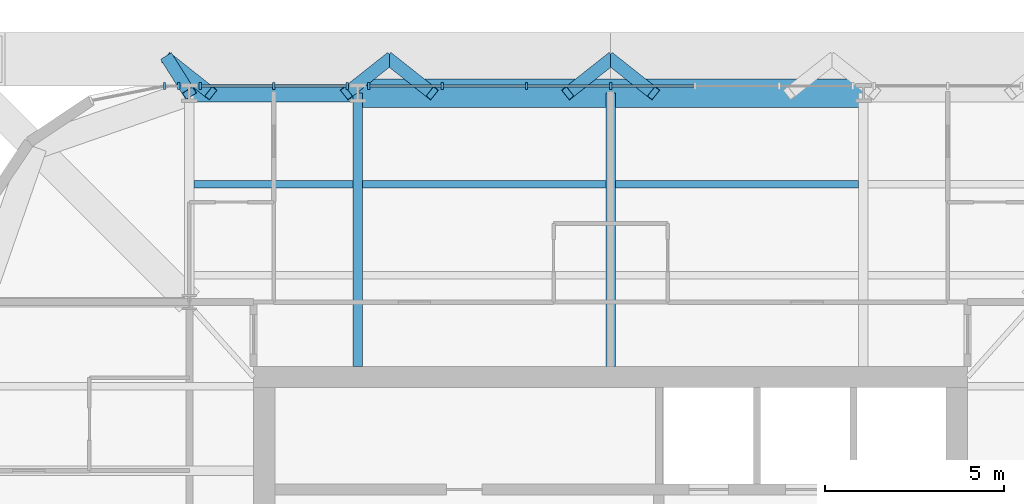
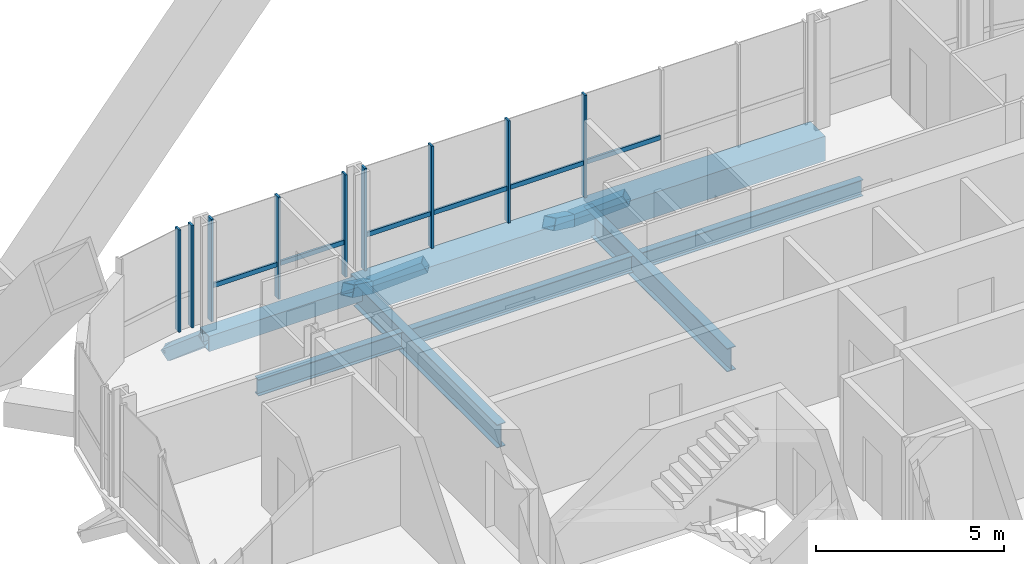
# One storey, part 10 of 23: 15 members, 13 beams, 3 elements without a shape of their own.
"""IFC4 building model written with IfcOpenShell, lengths in metres."""

from ifc_helpers import new_model, si_unit, direction, frame, origin, origin_2d, place, context, subcontext, project, spatial, rectangle, hollow_rectangle, i_section, extrude, material, material_profile, profile_set, type_object, element, aggregate, save


model = new_model("IFC4")

# Units and contexts
model_context = context("Model", 3, precision=1e-05, world=origin(), true_north=direction((0.0, 1.0)))
body_context = subcontext(model_context, "Body", "Model", "MODEL_VIEW")
ifc_project = project(units=[si_unit("LENGTHUNIT", "METRE"), si_unit("AREAUNIT", "SQUARE_METRE"), si_unit("VOLUMEUNIT", "CUBIC_METRE"), si_unit("PLANEANGLEUNIT", "RADIAN"), si_unit("MASSUNIT", "GRAM", prefix="KILO")], contexts=[model_context])

# Site, building, storey
site_placement = place(None, origin())
site = spatial("IfcSite", under=ifc_project, at=site_placement, CompositionType="ELEMENT")
building_placement = place(site_placement, origin())
building = spatial("IfcBuilding", under=site, at=building_placement, Name="Turquesa Mirador Hotel Tower", CompositionType="ELEMENT")
storey_placement = place(building_placement, frame((0.0, 0.0, 226.699951171875)))
storey = spatial("IfcBuildingStorey", under=building, at=storey_placement, Name="L61", CompositionType="ELEMENT", Elevation=226.699951171875)

# Beams
ifc_material_1 = material(Name="Steel ASTM A572 Grade 50", Category="steel")
ifc_material_profile_1 = material_profile(ifc_material_1, hollow_rectangle(XDim=0.5, YDim=0.5, WallThickness=0.031982421875, at=origin_2d()), Name="BOX500X500X32")
ifc_profile_set_1 = profile_set([ifc_material_profile_1], Name="Steel ASTM A572 Grade 50")
beam_type_1 = type_object("IfcBeamType", Name="BEAM BOX500X500X32", PredefinedType="BEAM", material=ifc_profile_set_1)
beam_1_placement = place(storey_placement, frame((43.199951171875, 62.64990234375, -0.419921875), z_axis=(1.0, 0.0, 0.0), x_axis=(0.0, 1.0, 0.0)))
element("IfcBeam", 1, at=beam_1_placement, inside=storey, type_object=beam_type_1, Name="EB-L61-N-L", PredefinedType="BEAM", context=body_context, shape_type="SweptSolid", body=[
    extrude(hollow_rectangle(XDim=0.5, YDim=0.5, WallThickness=0.031982421875, at=origin_2d()), origin(), (0.0, 0.0, 1.0), 4.719970703125),
])
ifc_material_2 = material(Name="Steel ASTM A572 Grade 50", Category="steel")
ifc_material_profile_2 = material_profile(ifc_material_2, hollow_rectangle(XDim=0.800048828125, YDim=0.800048828125, WallThickness=0.030029296875, at=origin_2d()), Name="BOX800X800X30")
ifc_profile_set_2 = profile_set([ifc_material_profile_2], Name="Steel ASTM A572 Grade 50")
beam_type_2 = type_object("IfcBeamType", Name="BEAM BOX800X800X30", PredefinedType="BEAM", material=ifc_profile_set_2)
beam_2_placement = place(storey_placement, frame((47.919921875, 62.64990234375, -0.570068359375), z_axis=(1.0, 0.0, 0.0), x_axis=(0.0, 1.0, 0.0)))
element("IfcBeam", 2, at=beam_2_placement, inside=storey, type_object=beam_type_2, Name="EB-L61-N-C", PredefinedType="BEAM", context=body_context, shape_type="SweptSolid", body=[
    extrude(hollow_rectangle(XDim=0.800048828125, YDim=0.800048828125, WallThickness=0.030029296875, at=origin_2d()), origin(), (0.0, 0.0, 1.0), 14.16015625),
])
ifc_material_3 = material(Name="Steel ASTM A992 Grade 50", Category="steel")
ifc_material_profile_3 = material_profile(ifc_material_3, i_section(OverallWidth=0.209228515625, OverallDepth=0.533447265625, WebThickness=0.01025390625, FlangeThickness=0.015625, at=origin_2d()), Name="W21X62")
ifc_profile_set_3 = profile_set([ifc_material_profile_3], Name="Steel ASTM A992 Grade 50")
beam_type_3 = type_object("IfcBeamType", Name="BEAM W21X62", PredefinedType="BEAM", material=ifc_profile_set_3)
beam_3_placement = place(storey_placement, frame((43.333251953125, 60.10009765625, -0.436767578125), z_axis=(1.0, 0.0, 0.0), x_axis=(0.0, 1.0, 0.0)))
element("IfcBeam", 3, at=beam_3_placement, inside=storey, type_object=beam_type_3, Name="IB-L61-N-2-0", PredefinedType="BEAM", context=body_context, shape_type="SweptSolid", body=[
    extrude(i_section(OverallWidth=0.209228515625, OverallDepth=0.533447265625, WebThickness=0.01025390625, FlangeThickness=0.015625, at=origin_2d()), origin(), (0.0, 0.0, 1.0), 4.453369140625),
])
for number, where, z_axis, x_axis, name in (
    (4, (48.053466796875, 60.10009765625, -0.436767578125), (1.0, 0.0, 0.0), (0.0, 1.0, 0.0), "IB-L61-N-2-1"),
    (5, (55.13330078125, 60.10009765625, -0.436767578125), (1.0, 0.0, 0.0), (0.0, 1.0, 0.0), "IB-L61-N-2-2"),
):
    element("IfcBeam", number, at=place(storey_placement, frame(where, z_axis=z_axis, x_axis=x_axis)), inside=storey, type_object=beam_type_3, Name=name, PredefinedType="BEAM", context=body_context, shape_type="SweptSolid", body=[
        extrude(i_section(OverallWidth=0.209228515625, OverallDepth=0.533447265625, WebThickness=0.01025390625, FlangeThickness=0.015625, at=origin_2d()), origin(), (0.0, 0.0, 1.0), 6.813232421875),
    ])
ifc_material_4 = material(Name="Steel ASTM A992 Grade 50", Category="steel")
ifc_material_profile_4 = material_profile(ifc_material_4, i_section(OverallWidth=0.2666015625, OverallDepth=0.7568359375, WebThickness=0.013916015625, FlangeThickness=0.019287109375, at=origin_2d()), Name="W30X108")
ifc_profile_set_4 = profile_set([ifc_material_profile_4], Name="Steel ASTM A992 Grade 50")
beam_type_4 = type_object("IfcBeamType", Name="BEAM W30X108", PredefinedType="BEAM", material=ifc_profile_set_4)
for number, where, z_axis, x_axis, name in (
    (6, (47.919921875, 62.64990234375, -0.54833984375), (0.0, -1.0, 0.0), (1.0, 0.0, 0.0), "GD-L61-N--7.08"),
    (7, (55.0, 62.64990234375, -0.54833984375), (0.0, -1.0, 0.0), (1.0, 0.0, 0.0), "GD-L61-N-+0.00"),
):
    element("IfcBeam", number, at=place(storey_placement, frame(where, z_axis=z_axis, x_axis=x_axis)), inside=storey, type_object=beam_type_4, Name=name, PredefinedType="BEAM", context=body_context, shape_type="SweptSolid", body=[
        extrude(i_section(OverallWidth=0.2666015625, OverallDepth=0.7568359375, WebThickness=0.013916015625, FlangeThickness=0.019287109375, at=origin_2d()), origin(), (0.0, 0.0, 1.0), 7.64990234375),
    ])
ifc_material_5 = material(Name="Steel ASTM A500 Grade C", Category="steel")
ifc_material_profile_5 = material_profile(ifc_material_5, hollow_rectangle(XDim=0.355712890625, YDim=0.355712890625, WallThickness=0.0146484375, at=origin_2d()), Name="HSS14X14X5/8")
ifc_profile_set_5 = profile_set([ifc_material_profile_5], Name="Steel ASTM A500 Grade C")
beam_type_5 = type_object("IfcBeamType", Name="BRACE STRUT HSS14X14X5/8", PredefinedType="BEAM", material=ifc_profile_set_5)
beam_4_placement = place(storey_placement, frame((42.60009765625, 63.60009765625, -1.199951171875), z_axis=(0.425320857531, -0.673727626174, 0.604312215564), x_axis=(0.845597303237, 0.53382131913, 0.0)))
element("IfcBeam", 8, at=beam_4_placement, inside=storey, type_object=beam_type_5, Name="Brace strut", PredefinedType="BEAM", context=body_context, shape_type="SweptSolid", body=[
    extrude(hollow_rectangle(XDim=0.355712890625, YDim=0.355712890625, WallThickness=0.0146484375, at=origin_2d()), origin(), (0.0, 0.0, 1.0), 1.410400390625),
])
for number, where, z_axis, x_axis, name in (
    (9, (42.60009765625, 63.60009765625, -1.199951171875), (0.684941954003, -0.542379264492, 0.486496919924), (0.620796907089, 0.783971428146, 0.0), "Brace strut"),
    (10, (48.800048828125, 63.60009765625, -1.199951171875), (-0.684941954003, -0.542379264492, 0.486496919924), (0.620796907089, -0.783971428146, 0.0), "Brace strut"),
    (11, (48.800048828125, 63.60009765625, -1.199951171875), (0.684941954003, -0.542379264492, 0.486496919924), (0.620796907089, 0.783971428146, 0.0), "Brace strut"),
    (12, (55.0, 63.60009765625, -1.199951171875), (-0.684941954003, -0.542379264492, 0.486496919924), (0.620796907089, -0.783971428146, 0.0), "Brace strut"),
    (13, (55.0, 63.60009765625, -1.199951171875), (0.684941954003, -0.542379264492, 0.486496919924), (0.620796907089, 0.783971428146, 0.0), "Brace strut"),
):
    element("IfcBeam", number, at=place(storey_placement, frame(where, z_axis=z_axis, x_axis=x_axis)), inside=storey, type_object=beam_type_5, Name=name, PredefinedType="BEAM", context=body_context, shape_type="SweptSolid", body=[
        extrude(hollow_rectangle(XDim=0.355712890625, YDim=0.355712890625, WallThickness=0.0146484375, at=origin_2d()), origin(), (0.0, 0.0, 1.0), 1.751953125),
    ])

# Curtain wall, members
ifc_material_6 = material(Name="Aluminium extrusion", Category="aluminium")
curtain_wall_type = type_object("IfcCurtainWallType", Name="CW-4 SUITE FRITTED CURTAIN WALL", PredefinedType="USERDEFINED", material=ifc_material_6)
curtain_wall_1_placement = place(storey_placement, origin())
curtain_wall_1 = element("IfcCurtainWall", 14, at=curtain_wall_1_placement, inside=storey, type_object=curtain_wall_type, Name="CW-4 SUITE FRITTED CURTAIN WALL L61", ObjectType="CURTAIN WALL", PredefinedType="USERDEFINED")
ifc_material_7 = material(Name="Aluminium extrusion", Category="aluminium")
ifc_material_profile_6 = material_profile(ifc_material_7, rectangle(XDim=0.06494140625, YDim=0.199951171875, at=origin_2d()), Name="MULLION 65X200")
ifc_profile_set_6 = profile_set([ifc_material_profile_6], Name="Aluminium extrusion")
member_type_1 = type_object("IfcMemberType", Name="CW MULLION 65X200", PredefinedType="MULLION", material=ifc_profile_set_6)
member_1_placement = place(storey_placement, frame((55.0, 62.85009765625, 0.0), z_axis=(0.0, 0.0, 1.0), x_axis=(-1.0, 0.0, 0.0)))
member_1 = element("IfcMember", 15, at=member_1_placement, type_object=member_type_1, Name="Mullion", PredefinedType="MULLION", context=body_context, shape_type="SweptSolid", body=[
    extrude(rectangle(XDim=0.06494140625, YDim=0.199951171875, at=origin_2d()), origin(), (0.0, 0.0, 1.0), 3.330078125),
])
member_2_placement = place(storey_placement, frame((52.639892578125, 62.85009765625, 0.0), z_axis=(0.0, 0.0, 1.0), x_axis=(-1.0, 0.0, 0.0)))
member_2 = element("IfcMember", 16, at=member_2_placement, type_object=member_type_1, Name="Mullion", PredefinedType="MULLION", context=body_context, shape_type="SweptSolid", body=[
    extrude(rectangle(XDim=0.06494140625, YDim=0.199951171875, at=origin_2d()), origin(), (0.0, 0.0, 1.0), 3.330078125),
])
member_3_placement = place(storey_placement, frame((50.280029296875, 62.85009765625, 0.0), z_axis=(0.0, 0.0, 1.0), x_axis=(-1.0, 0.0, 0.0)))
member_3 = element("IfcMember", 17, at=member_3_placement, type_object=member_type_1, Name="Mullion", PredefinedType="MULLION", context=body_context, shape_type="SweptSolid", body=[
    extrude(rectangle(XDim=0.06494140625, YDim=0.199951171875, at=origin_2d()), origin(), (0.0, 0.0, 1.0), 3.330078125),
])
member_4_placement = place(storey_placement, frame((48.219970703125, 62.85009765625, 0.0), z_axis=(0.0, 0.0, 1.0), x_axis=(-1.0, 0.0, 0.0)))
member_4 = element("IfcMember", 18, at=member_4_placement, type_object=member_type_1, Name="Mullion", PredefinedType="MULLION", context=body_context, shape_type="SweptSolid", body=[
    extrude(rectangle(XDim=0.06494140625, YDim=0.199951171875, at=origin_2d()), origin(), (0.0, 0.0, 1.0), 3.330078125),
])

curtain_wall_2_placement = place(storey_placement, origin())
curtain_wall_2 = element("IfcCurtainWall", 19, at=curtain_wall_2_placement, inside=storey, type_object=curtain_wall_type, Name="CW-4 SUITE FRITTED CURTAIN WALL L61", ObjectType="CURTAIN WALL", PredefinedType="USERDEFINED")
member_5_placement = place(storey_placement, frame((47.6201171875, 62.85009765625, 0.0), z_axis=(0.0, 0.0, 1.0), x_axis=(-1.0, 0.0, 0.0)))
member_5 = element("IfcMember", 20, at=member_5_placement, type_object=member_type_1, Name="Mullion", PredefinedType="MULLION", context=body_context, shape_type="SweptSolid", body=[
    extrude(rectangle(XDim=0.06494140625, YDim=0.199951171875, at=origin_2d()), origin(), (0.0, 0.0, 1.0), 3.330078125),
])
member_6_placement = place(storey_placement, frame((45.56005859375, 62.85009765625, 0.0), z_axis=(0.0, 0.0, 1.0), x_axis=(-1.0, 0.0, 0.0)))
member_6 = element("IfcMember", 21, at=member_6_placement, type_object=member_type_1, Name="Mullion", PredefinedType="MULLION", context=body_context, shape_type="SweptSolid", body=[
    extrude(rectangle(XDim=0.06494140625, YDim=0.199951171875, at=origin_2d()), origin(), (0.0, 0.0, 1.0), 3.330078125),
])
member_7_placement = place(storey_placement, frame((43.5, 62.85009765625, 0.0), z_axis=(0.0, 0.0, 1.0), x_axis=(-1.0, 0.0, 0.0)))
member_7 = element("IfcMember", 22, at=member_7_placement, type_object=member_type_1, Name="Mullion", PredefinedType="MULLION", context=body_context, shape_type="SweptSolid", body=[
    extrude(rectangle(XDim=0.06494140625, YDim=0.199951171875, at=origin_2d()), origin(), (0.0, 0.0, 1.0), 3.330078125),
])

curtain_wall_3_placement = place(storey_placement, origin())
curtain_wall_3 = element("IfcCurtainWall", 23, at=curtain_wall_3_placement, inside=storey, type_object=curtain_wall_type, Name="CW-4 SUITE FRITTED CURTAIN WALL L61", ObjectType="CURTAIN WALL", PredefinedType="USERDEFINED")
member_8_placement = place(storey_placement, frame((42.900146484375, 62.85009765625, 0.0), z_axis=(0.0, 0.0, 1.0), x_axis=(-1.0, 0.0, 0.0)))
member_8 = element("IfcMember", 24, at=member_8_placement, type_object=member_type_1, Name="Mullion", PredefinedType="MULLION", context=body_context, shape_type="SweptSolid", body=[
    extrude(rectangle(XDim=0.06494140625, YDim=0.199951171875, at=origin_2d()), origin(), (0.0, 0.0, 1.0), 3.330078125),
])
member_9_placement = place(storey_placement, frame((42.5, 62.85009765625, 0.0), z_axis=(0.0, 0.0, 1.0), x_axis=(-1.0, 0.0, 0.0)))
member_9 = element("IfcMember", 25, at=member_9_placement, type_object=member_type_1, Name="Mullion", PredefinedType="MULLION", context=body_context, shape_type="SweptSolid", body=[
    extrude(rectangle(XDim=0.06494140625, YDim=0.199951171875, at=origin_2d()), origin(), (0.0, 0.0, 1.0), 3.330078125),
])
aggregate(curtain_wall_3, [member_8, member_9])

# Member
ifc_material_8 = material(Name="Aluminium extrusion", Category="aluminium")
ifc_material_profile_7 = material_profile(ifc_material_8, rectangle(XDim=0.06494140625, YDim=0.14990234375, at=origin_2d()), Name="TRANSOM 65X150")
ifc_profile_set_7 = profile_set([ifc_material_profile_7], Name="Aluminium extrusion")
member_type_2 = type_object("IfcMemberType", Name="CW TRANSOM 65X150", PredefinedType="USERDEFINED", material=ifc_profile_set_7)
member_10_placement = place(storey_placement, frame((57.327392578125, 62.85009765625, 1.10009765625), z_axis=(-1.0, 0.0, 0.0), x_axis=(0.0, -1.0, 0.0)))
member_10 = element("IfcMember", 26, at=member_10_placement, type_object=member_type_2, Name="Transom", ObjectType="TRANSOM", PredefinedType="USERDEFINED", context=body_context, shape_type="SweptSolid", body=[
    extrude(rectangle(XDim=0.06494140625, YDim=0.14990234375, at=origin_2d()), origin(), (0.0, 0.0, 1.0), 2.294921875),
])

member_11_placement = place(storey_placement, frame((54.967529296875, 62.85009765625, 1.10009765625), z_axis=(-1.0, 0.0, 0.0), x_axis=(0.0, -1.0, 0.0)))
member_11 = element("IfcMember", 27, at=member_11_placement, type_object=member_type_2, Name="Transom", ObjectType="TRANSOM", PredefinedType="USERDEFINED", context=body_context, shape_type="SweptSolid", body=[
    extrude(rectangle(XDim=0.06494140625, YDim=0.14990234375, at=origin_2d()), origin(), (0.0, 0.0, 1.0), 2.294921875),
])

member_12_placement = place(storey_placement, frame((52.607421875, 62.85009765625, 1.10009765625), z_axis=(-1.0, 0.0, 0.0), x_axis=(0.0, -1.0, 0.0)))
member_12 = element("IfcMember", 28, at=member_12_placement, type_object=member_type_2, Name="Transom", ObjectType="TRANSOM", PredefinedType="USERDEFINED", context=body_context, shape_type="SweptSolid", body=[
    extrude(rectangle(XDim=0.06494140625, YDim=0.14990234375, at=origin_2d()), origin(), (0.0, 0.0, 1.0), 2.294921875),
])

member_13_placement = place(storey_placement, frame((50.24755859375, 62.85009765625, 1.10009765625), z_axis=(-1.0, 0.0, 0.0), x_axis=(0.0, -1.0, 0.0)))
member_13 = element("IfcMember", 29, at=member_13_placement, type_object=member_type_2, Name="Transom", ObjectType="TRANSOM", PredefinedType="USERDEFINED", context=body_context, shape_type="SweptSolid", body=[
    extrude(rectangle(XDim=0.06494140625, YDim=0.14990234375, at=origin_2d()), origin(), (0.0, 0.0, 1.0), 1.9951171875),
])

aggregate(curtain_wall_1, [member_1, member_2, member_3, member_4, member_10, member_11, member_12, member_13])

member_14_placement = place(storey_placement, frame((47.587646484375, 62.85009765625, 1.10009765625), z_axis=(-1.0, 0.0, 0.0), x_axis=(0.0, -1.0, 0.0)))
member_14 = element("IfcMember", 30, at=member_14_placement, type_object=member_type_2, Name="Transom", ObjectType="TRANSOM", PredefinedType="USERDEFINED", context=body_context, shape_type="SweptSolid", body=[
    extrude(rectangle(XDim=0.06494140625, YDim=0.14990234375, at=origin_2d()), origin(), (0.0, 0.0, 1.0), 1.9951171875),
])

member_15_placement = place(storey_placement, frame((45.527587890625, 62.85009765625, 1.10009765625), z_axis=(-1.0, 0.0, 0.0), x_axis=(0.0, -1.0, 0.0)))
member_15 = element("IfcMember", 31, at=member_15_placement, type_object=member_type_2, Name="Transom", ObjectType="TRANSOM", PredefinedType="USERDEFINED", context=body_context, shape_type="SweptSolid", body=[
    extrude(rectangle(XDim=0.06494140625, YDim=0.14990234375, at=origin_2d()), origin(), (0.0, 0.0, 1.0), 1.9951171875),
])

aggregate(curtain_wall_2, [member_5, member_6, member_7, member_14, member_15])

save(model, "model.ifc")
